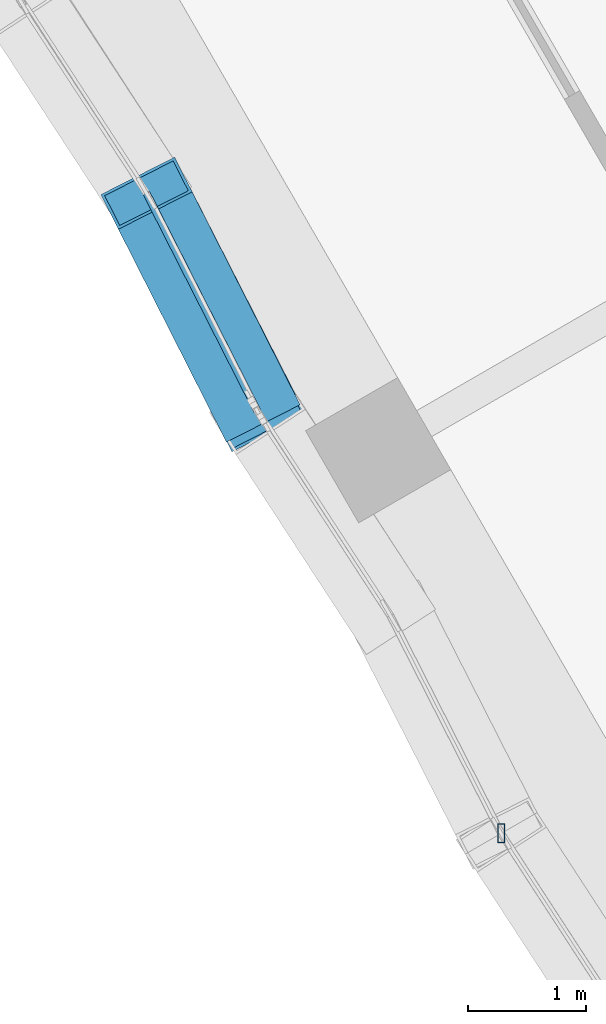
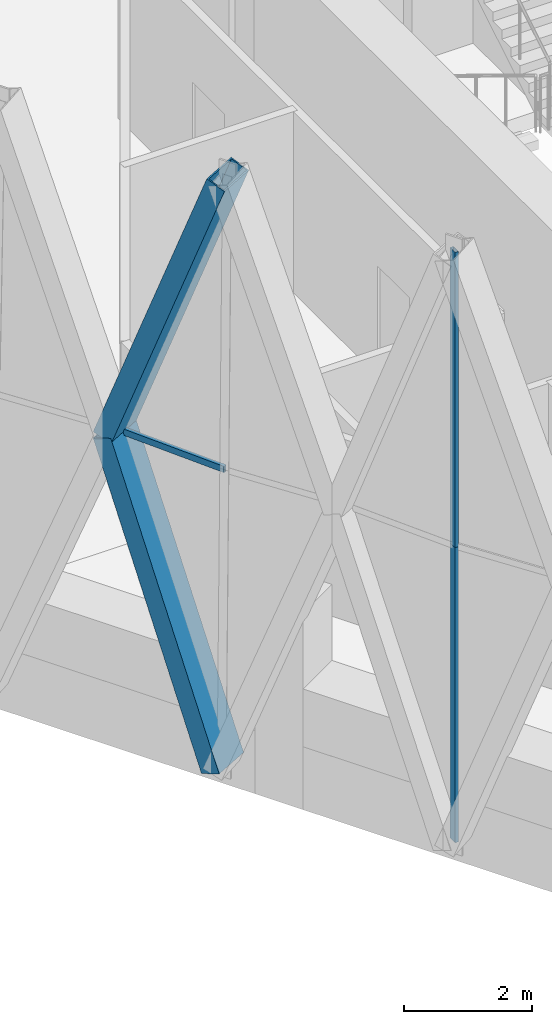
# One storey, part 3 of 18: 5 members, 2 elements without a shape of their own.
"""IFC4 building model written with IfcOpenShell, lengths in metres."""

from ifc_helpers import new_model, si_unit, direction, frame, origin, origin_2d, place, context, subcontext, project, spatial, hollow_rectangle, extrude, material, material_profile, profile_set, type_object, element, aggregate, save


model = new_model("IFC4")

# Units and contexts
model_context = context("Model", 3, precision=1e-05, world=origin(), true_north=direction((0.0, 1.0)))
body_context = subcontext(model_context, "Body", "Model", "MODEL_VIEW")
ifc_project = project(units=[si_unit("LENGTHUNIT", "METRE"), si_unit("AREAUNIT", "SQUARE_METRE"), si_unit("VOLUMEUNIT", "CUBIC_METRE"), si_unit("PLANEANGLEUNIT", "RADIAN"), si_unit("MASSUNIT", "GRAM", prefix="KILO")], contexts=[model_context])

# Site, building, storey
site_placement = place(None, origin())
site = spatial("IfcSite", under=ifc_project, at=site_placement, CompositionType="ELEMENT")
building_placement = place(site_placement, origin())
building = spatial("IfcBuilding", under=site, at=building_placement, Name="Ostrander Bayou Hotel Tower", CompositionType="ELEMENT")
storey_placement = place(building_placement, frame((0.0, 0.0, 214.5)))
storey = spatial("IfcBuildingStorey", under=building, at=storey_placement, Name="L53", CompositionType="ELEMENT", Elevation=214.5)

# Curtain wall, members
ifc_material_1 = material(Name="Aluminium and clear glass", Category="aluminium")
curtain_wall_type = type_object("IfcCurtainWallType", Name="CW-LAT lattice glazing", PredefinedType="NOTDEFINED", material=ifc_material_1)
curtain_wall_1_placement = place(storey_placement, origin())
curtain_wall_1 = element("IfcCurtainWall", 1, at=curtain_wall_1_placement, inside=storey, type_object=curtain_wall_type, Name="CW-LAT L53 SW 1", PredefinedType="NOTDEFINED")
ifc_material_2 = material(Name="Aluminium", Category="aluminium")
ifc_material_profile_1 = material_profile(ifc_material_2, hollow_rectangle(XDim=0.06005859375, YDim=0.159912109375, WallThickness=0.00390625, at=origin_2d()))
ifc_profile_set_1 = profile_set([ifc_material_profile_1], Name="Aluminium")
member_type_1 = type_object("IfcMemberType", Name="CW-LA mullion 60 x 160 mm", PredefinedType="MULLION", material=ifc_profile_set_1)
member_1_placement = place(storey_placement, frame((-15.216064453125, -8.784912109375, -0.60009765625), z_axis=(0.0, 0.0, 1.0), x_axis=(1.0, 0.0, 0.0)))
member_1 = element("IfcMember", 2, at=member_1_placement, type_object=member_type_1, Name="CW-LAT mullion 8", PredefinedType="MULLION", context=body_context, shape_type="SweptSolid", body=[
    extrude(hollow_rectangle(XDim=0.06005859375, YDim=0.159912109375, WallThickness=0.00390625, at=origin_2d()), origin(), (0.0, 0.0, 1.0), 5.625),
])
member_2_placement = place(storey_placement, frame((-15.216064453125, -8.784912109375, 5.02490234375), z_axis=(0.0, 0.0, 1.0), x_axis=(1.0, 0.0, 0.0)))
member_2 = element("IfcMember", 3, at=member_2_placement, type_object=member_type_1, Name="CW-LAT mullion 9", PredefinedType="MULLION", context=body_context, shape_type="SweptSolid", body=[
    extrude(hollow_rectangle(XDim=0.06005859375, YDim=0.159912109375, WallThickness=0.00390625, at=origin_2d()), origin(), (0.0, 0.0, 1.0), 5.625),
])
aggregate(curtain_wall_1, [member_1, member_2])

# Curtain wall, member
curtain_wall_2_placement = place(storey_placement, origin())
curtain_wall_2 = element("IfcCurtainWall", 4, at=curtain_wall_2_placement, inside=storey, type_object=curtain_wall_type, Name="CW-LAT L53 SW 2", PredefinedType="NOTDEFINED")
ifc_material_3 = material(Name="Aluminium", Category="aluminium")
ifc_material_profile_2 = material_profile(ifc_material_3, hollow_rectangle(XDim=0.06005859375, YDim=0.1201171875, WallThickness=0.00390625, at=origin_2d()))
ifc_profile_set_2 = profile_set([ifc_material_profile_2], Name="Aluminium")
member_type_2 = type_object("IfcMemberType", Name="CW-LA transom 60 x 120 mm", PredefinedType="USERDEFINED", material=ifc_profile_set_2)
member_3_placement = place(storey_placement, frame((-17.280517578125, -5.209228515625, 5.02490234375), z_axis=(-0.453437495797, 0.891288077675, 0.0), x_axis=(-0.891288077675, -0.453437495797, 0.0)))
member_3 = element("IfcMember", 5, at=member_3_placement, type_object=member_type_2, Name="CW-LAT transom 6", ObjectType="TRANSOM", PredefinedType="USERDEFINED", context=body_context, shape_type="SweptSolid", body=[
    extrude(hollow_rectangle(XDim=0.06005859375, YDim=0.1201171875, WallThickness=0.00390625, at=origin_2d()), origin(), (0.0, 0.0, 1.0), 2.067626953125),
])
aggregate(curtain_wall_2, [member_3])

# Members
ifc_material_4 = material(Name="Steel ASTM A572 Gr 50", Category="steel")
ifc_material_profile_3 = material_profile(ifc_material_4, hollow_rectangle(XDim=0.699951171875, YDim=0.35009765625, WallThickness=0.02490234375, at=origin_2d()))
ifc_profile_set_3 = profile_set([ifc_material_profile_3], Name="Steel ASTM A572 Gr 50")
member_type_3 = type_object("IfcMemberType", Name="LT1 lattice member box 700 x 350 x 25 mm", PredefinedType="BRACE", material=ifc_profile_set_3)
member_4_placement = place(storey_placement, frame((-18.218017578125, -3.366455078125, 5.02490234375), z_axis=(0.152894503593, -0.301459106737, -0.941140625909), x_axis=(0.891850558653, 0.452330168162, 0.0)))
element("IfcMember", 6, at=member_4_placement, inside=storey, type_object=member_type_3, Name="LT1 L53 SW 3", PredefinedType="BRACE", context=body_context, shape_type="SweptSolid", body=[
    extrude(hollow_rectangle(XDim=0.699951171875, YDim=0.35009765625, WallThickness=0.02490234375, at=origin_2d()), origin(), (0.0, 0.0, 1.0), 5.976806640625),
])
member_5_placement = place(storey_placement, frame((-18.218017578125, -3.366455078125, 5.02490234375), z_axis=(0.159908212959, -0.313437973317, 0.936048075855), x_axis=(0.890772362348, 0.454449775528, 0.0)))
element("IfcMember", 7, at=member_5_placement, inside=storey, type_object=member_type_3, Name="LT1 L53 SW 4", PredefinedType="BRACE", context=body_context, shape_type="SweptSolid", body=[
    extrude(hollow_rectangle(XDim=0.699951171875, YDim=0.35009765625, WallThickness=0.02490234375, at=origin_2d()), origin(), (0.0, 0.0, 1.0), 6.00927734375),
])

save(model, "model.ifc")
